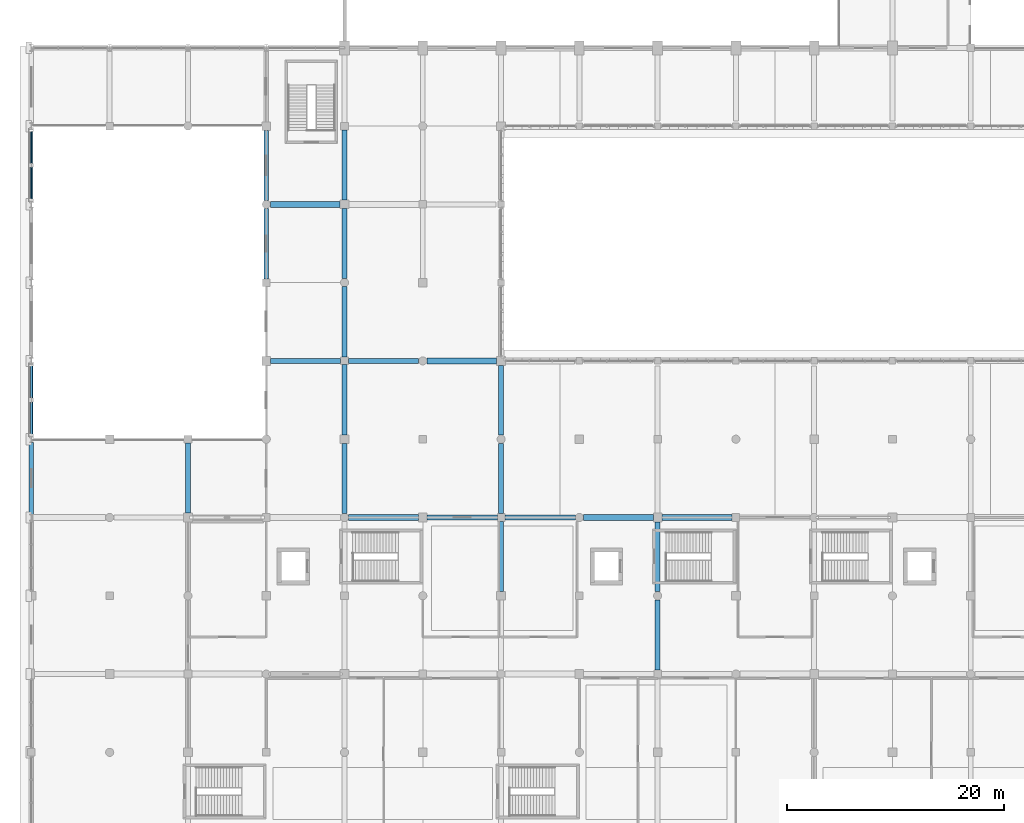
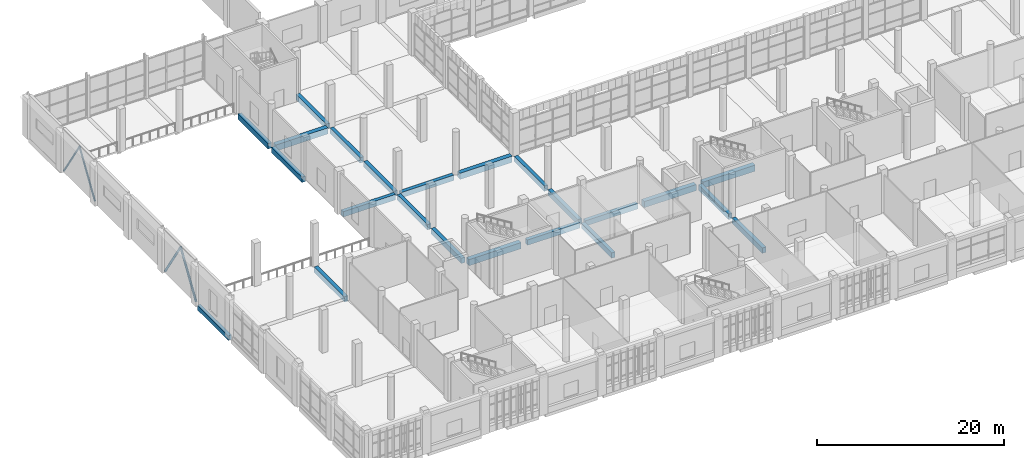
# One storey, part 12 of 80: 23 beams, 4 members.
"""IFC4 building model written with IfcOpenShell, lengths in metres."""

import ifcopenshell
import ifcopenshell.guid

model = None  # the IFC model being written
_history = None  # IfcOwnerHistory: only IFC2X3 demands one
_inside = {}  # id of a spatial element -> (the spatial element, [elements in it])
_under = {}  # id of a project, library or spatial element -> (it, [spatial elements below it])
_declared = {}  # id of a project -> (the project, [libraries it declares])
_typed = {}  # id of a type object -> (the type object, [elements of that type])
_made_of = {}  # id of a material, layer set ... -> (it, [elements and type objects made of it])


def new_model(schema):
    """Start an empty IFC model of exactly this schema.

    Asked for "IFC4X3", IfcOpenShell would pick the latest addendum, in which some entities
    have other attributes; the version numbers below select the first issue.
    IFC2X3 requires an IfcOwnerHistory on every rooted entity: one is made here for all.
    """
    global model, _history
    if schema == "IFC4X3":
        model = ifcopenshell.file(schema_version=(4, 3, 0, 0))
    else:
        model = ifcopenshell.file(schema=schema)
    _inside.clear()
    _under.clear()
    _declared.clear()
    _typed.clear()
    _made_of.clear()
    _history = None
    if model.schema == "IFC2X3":
        org = make("IfcOrganization", Name="unknown")
        user = make(
            "IfcPersonAndOrganization",
            ThePerson=make("IfcPerson", FamilyName="unknown"),
            TheOrganization=org,
        )
        app = make(
            "IfcApplication",
            ApplicationDeveloper=org,
            Version="unknown",
            ApplicationFullName="unknown",
            ApplicationIdentifier="unknown",
        )
        _history = make(
            "IfcOwnerHistory",
            OwningUser=user,
            OwningApplication=app,
            ChangeAction="ADDED",
            CreationDate=0,
        )
    return model


def make(cls, **values):
    """One entity of the class cls with the attributes given. An attribute that is None is left unset."""
    return model.create_entity(
        cls, **{name: value for name, value in values.items() if value is not None}
    )


def rooted(cls, **values):
    """An entity with a GlobalId (a new one), such as an element, a storey or a relation."""
    return make(cls, GlobalId=ifcopenshell.guid.new(), OwnerHistory=_history, **values)


def si_unit(unit_type, name, prefix=None):
    """IfcSIUnit, for example si_unit("LENGTHUNIT", "METRE", prefix="MILLI")."""
    return make("IfcSIUnit", UnitType=unit_type, Prefix=prefix, Name=name)


def assignment(units):
    """IfcUnitAssignment: the units of a project."""
    return None if units is None else make("IfcUnitAssignment", Units=units)


def point(xyz):
    """IfcCartesianPoint."""
    return None if xyz is None else make("IfcCartesianPoint", Coordinates=xyz)


def direction(xyz):
    """IfcDirection."""
    return None if xyz is None else make("IfcDirection", DirectionRatios=xyz)


def frame(location, z_axis=None, x_axis=None):
    """IfcAxis2Placement3D, a coordinate frame: its origin and axes. An axis left out is left unset."""
    return make(
        "IfcAxis2Placement3D",
        Location=point(location),
        Axis=direction(z_axis),
        RefDirection=direction(x_axis),
    )


def frame_2d(location, x_axis=None):
    """IfcAxis2Placement2D, a coordinate frame in the plane: its origin and x axis."""
    return make(
        "IfcAxis2Placement2D", Location=point(location), RefDirection=direction(x_axis)
    )


def origin():
    """The frame at (0, 0, 0) with its axes left unset."""
    return frame((0.0, 0.0, 0.0))


def origin_2d():
    """The frame at (0, 0) in the plane with its x axis left unset."""
    return frame_2d((0.0, 0.0))


def place(relative_to, where):
    """IfcLocalPlacement: puts the frame where relative to a parent placement (None: the world)."""
    return make(
        "IfcLocalPlacement", PlacementRelTo=relative_to, RelativePlacement=where
    )


def context(
    kind, dimensions, precision=None, world=None, true_north=None, identifier=None
):
    """IfcGeometricRepresentationContext, for example the 3D "Model" context."""
    return make(
        "IfcGeometricRepresentationContext",
        ContextIdentifier=identifier,
        ContextType=kind,
        CoordinateSpaceDimension=dimensions,
        Precision=precision,
        WorldCoordinateSystem=world,
        TrueNorth=true_north,
    )


def subcontext(parent, identifier, kind, view, scale=None):
    """IfcGeometricRepresentationSubContext, for example "Body" below "Model"."""
    return make(
        "IfcGeometricRepresentationSubContext",
        ContextIdentifier=identifier,
        ContextType=kind,
        ParentContext=parent,
        TargetScale=scale,
        TargetView=view,
    )


def project(units=None, contexts=None):
    """IfcProject with its units and contexts."""
    return rooted(
        "IfcProject",
        Name="project",
        RepresentationContexts=contexts,
        UnitsInContext=assignment(units),
    )


def spatial(cls, under=None, at=None, **own):
    """A site, building, storey or space (cls), placed at a placement, below another one or the project."""
    s = rooted(cls, ObjectPlacement=at, **own)
    if under is not None:
        _under.setdefault(under.id(), (under, []))[1].append(s)
    return s


def profile(cls, at=None, kind="AREA", **sizes):
    """A parametric profile (cls). Its sizes go by their IFC names, for example OverallWidth=200.0."""
    return make(cls, ProfileType=kind, Position=at, **sizes)


def rectangle(**sizes):
    """IfcRectangleProfileDef."""
    return profile("IfcRectangleProfileDef", **sizes)


def hollow_circle(**sizes):
    """IfcCircleHollowProfileDef."""
    return profile("IfcCircleHollowProfileDef", **sizes)


def extrude(swept, where, along, depth):
    """IfcExtrudedAreaSolid: the profile swept, set in the frame where, extruded along a direction by depth."""
    return make(
        "IfcExtrudedAreaSolid",
        SweptArea=swept,
        Position=where,
        ExtrudedDirection=direction(along),
        Depth=depth,
    )


def shape(context_of_items, identifier, shape_type, items):
    """IfcShapeRepresentation: the items that make up one representation, for example the "Body"."""
    return make(
        "IfcShapeRepresentation",
        ContextOfItems=context_of_items,
        RepresentationIdentifier=identifier,
        RepresentationType=shape_type,
        Items=items,
    )


def material(Name=None, Category=None):
    """IfcMaterial."""
    return make("IfcMaterial", Name=Name, Category=Category)


def material_profile(
    of_material, cross_section, Name=None, Category=None, Priority=None
):
    """IfcMaterialProfile: a cross section and its material."""
    return make(
        "IfcMaterialProfile",
        Name=Name,
        Material=of_material,
        Profile=cross_section,
        Priority=Priority,
        Category=Category,
    )


def profile_set(profiles, Name=None, composite=None):
    """IfcMaterialProfileSet."""
    return make(
        "IfcMaterialProfileSet",
        Name=Name,
        MaterialProfiles=profiles,
        CompositeProfile=composite,
    )


def made_of(thing, what):
    """Note that an element or type object is made of a material, layer set ...; save() writes the relation."""
    if what is not None:
        _made_of.setdefault(what.id(), (what, []))[1].append(thing)
    return thing


def type_object(cls, material=None, **own):
    """A type object (cls), such as IfcWallType, which elements share."""
    return made_of(rooted(cls, **own), material)


def element(
    cls,
    number,
    at=None,
    inside=None,
    cuts=None,
    type_object=None,
    material=None,
    context=None,
    identifier="Body",
    shape_type=None,
    held_by="IfcProductDefinitionShape",
    body=None,
    shapes=None,
    **own,
):
    """One element of the class cls, such as IfcWall. Its Tag is "e" and its number.

    at: its placement. inside: the storey or other place that contains it. cuts: it is an
    opening in that element (IfcRelVoidsElement). A single representation is given by context,
    identifier, shape_type and body (its items); several are given by shapes. held_by: the class
    of the entity that holds the representations. save() writes the other relations.
    """
    e = rooted(cls, Tag="e%d" % number, ObjectPlacement=at, **own)
    if body is not None:
        shapes = [shape(context, identifier, shape_type, body)]
    if shapes is not None:
        e.Representation = make(held_by, Representations=shapes)
    if inside is not None:
        _inside.setdefault(inside.id(), (inside, []))[1].append(e)
    if cuts is not None:
        rooted(
            "IfcRelVoidsElement", RelatingBuildingElement=cuts, RelatedOpeningElement=e
        )
    if type_object is not None:
        _typed.setdefault(type_object.id(), (type_object, []))[1].append(e)
    return made_of(e, material)


def aggregate(whole, parts):
    """IfcRelAggregates: a whole, such as a stair, and the parts it consists of."""
    return rooted("IfcRelAggregates", RelatingObject=whole, RelatedObjects=parts)


def save(model, path):
    """Write the relations noted so far, then the file.

    IfcRelAggregates (storeys below a building ...), IfcRelContainedInSpatialStructure (elements
    in a storey), IfcRelDefinesByType, IfcRelAssociatesMaterial and IfcRelDeclares: one each for
    every whole, place, type object, material and project.
    """
    for whole, parts in _under.values():
        aggregate(whole, parts)
    for where, things in _inside.values():
        rooted(
            "IfcRelContainedInSpatialStructure",
            RelatedElements=things,
            RelatingStructure=where,
        )
    for kind, things in _typed.values():
        rooted("IfcRelDefinesByType", RelatedObjects=things, RelatingType=kind)
    for what, things in _made_of.values():
        rooted("IfcRelAssociatesMaterial", RelatedObjects=things, RelatingMaterial=what)
    for by, libraries in _declared.values():
        rooted("IfcRelDeclares", RelatingContext=by, RelatedDefinitions=libraries)
    model.write(path)


model = new_model("IFC4")

# Units and contexts
model_context = context("Model", 3, precision=1e-05, world=origin(), true_north=direction((0.0, 1.0)))
body_context = subcontext(model_context, "Body", "Model", "MODEL_VIEW")
ifc_project = project(units=[si_unit("LENGTHUNIT", "METRE"), si_unit("AREAUNIT", "SQUARE_METRE"), si_unit("VOLUMEUNIT", "CUBIC_METRE"), si_unit("PLANEANGLEUNIT", "RADIAN"), si_unit("MASSUNIT", "GRAM", prefix="KILO")], contexts=[model_context])

# Site, building, storey
site_placement = place(None, origin())
site = spatial("IfcSite", under=ifc_project, at=site_placement, CompositionType="ELEMENT")
building_placement = place(site_placement, origin())
building = spatial("IfcBuilding", under=site, at=building_placement, Name="Sardonyx Promenade Sports Hall", CompositionType="ELEMENT")
storey_placement = place(building_placement, frame((0.0, 0.0, 5.60009765625)))
storey = spatial("IfcBuildingStorey", under=building, at=storey_placement, Name="L01", CompositionType="ELEMENT", Elevation=5.60009765625)

# Beams
ifc_material_1 = material(Name="Concrete C40/50", Category="concrete")
ifc_material_profile_1 = material_profile(ifc_material_1, rectangle(XDim=0.550048828125, YDim=0.800048828125, at=origin_2d()))
ifc_profile_set_1 = profile_set([ifc_material_profile_1], Name="Concrete C40/50")
beam_type_1 = type_object("IfcBeamType", Name="Bm_Girder_RC800", PredefinedType="BEAM", material=ifc_profile_set_1)
for number, where, z_axis, x_axis, name in (
    (1, (29.175048828125, 28.800048828125, -0.400146484375), (1.0, 0.0, 0.0), (0.0, 1.0, 0.0), "Beam BG04 L01 #212"),
    (2, (50.77490234375, 28.800048828125, -0.400146484375), (1.0, 0.0, 0.0), (0.0, 1.0, 0.0), "Beam BG04 L01 #215"),
):
    element("IfcBeam", number, at=place(storey_placement, frame(where, z_axis=z_axis, x_axis=x_axis)), inside=storey, type_object=beam_type_1, Name=name, PredefinedType="BEAM", context=body_context, shape_type="SweptSolid", body=[
        extrude(rectangle(XDim=0.550048828125, YDim=0.800048828125, at=origin_2d()), origin(), (0.0, 0.0, 1.0), 6.425048828125),
    ])
beam_1_placement = place(storey_placement, frame((58.0, 28.800048828125, -0.400146484375), z_axis=(1.0, 0.0, 0.0), x_axis=(0.0, 1.0, 0.0)))
element("IfcBeam", 3, at=beam_1_placement, inside=storey, type_object=beam_type_1, Name="Beam BG04 L01 #216", PredefinedType="BEAM", context=body_context, shape_type="SweptSolid", body=[
    extrude(rectangle(XDim=0.550048828125, YDim=0.800048828125, at=origin_2d()), origin(), (0.0, 0.0, 1.0), 6.449951171875),
])
beam_2_placement = place(storey_placement, frame((36.375, 43.199951171875, -0.400146484375), z_axis=(1.0, 0.0, 0.0), x_axis=(0.0, 1.0, 0.0)))
element("IfcBeam", 4, at=beam_2_placement, inside=storey, type_object=beam_type_1, Name="Beam BG04 L01 #233", PredefinedType="BEAM", context=body_context, shape_type="SweptSolid", body=[
    extrude(rectangle(XDim=0.550048828125, YDim=0.800048828125, at=origin_2d()), origin(), (0.0, 0.0, 1.0), 6.425048828125),
])
beam_3_placement = place(storey_placement, frame((21.97509765625, 57.60009765625, -0.400146484375), z_axis=(1.0, 0.0, 0.0), x_axis=(0.0, 1.0, 0.0)))
element("IfcBeam", 5, at=beam_3_placement, inside=storey, type_object=beam_type_1, Name="Beam BG04 L01 #251", PredefinedType="BEAM", context=body_context, shape_type="SweptSolid", body=[
    extrude(rectangle(XDim=0.550048828125, YDim=0.800048828125, at=origin_2d()), origin(), (0.0, 0.0, 1.0), 6.4248046875),
])
ifc_material_2 = material(Name="Concrete C40/50", Category="concrete")
ifc_material_profile_2 = material_profile(ifc_material_2, rectangle(XDim=0.449951171875, YDim=0.699951171875, at=origin_2d()))
ifc_profile_set_2 = profile_set([ifc_material_profile_2], Name="Concrete C40/50")
beam_type_2 = type_object("IfcBeamType", Name="Bm_Primary_RC700", PredefinedType="BEAM", material=ifc_profile_set_2)
beam_4_placement = place(storey_placement, frame((36.39990234375, 28.800048828125, -0.35009765625), z_axis=(1.0, 0.0, 0.0), x_axis=(0.0, 1.0, 0.0)))
element("IfcBeam", 6, at=beam_4_placement, inside=storey, type_object=beam_type_2, Name="Beam BG01 L01 #213", PredefinedType="BEAM", context=body_context, shape_type="SweptSolid", body=[
    extrude(rectangle(XDim=0.449951171875, YDim=0.699951171875, at=origin_2d()), origin(), (0.0, 0.0, 1.0), 6.4501953125),
])
beam_5_placement = place(storey_placement, frame((43.550048828125, 28.800048828125, -0.35009765625), z_axis=(1.0, 0.0, 0.0), x_axis=(0.0, 1.0, 0.0)))
element("IfcBeam", 7, at=beam_5_placement, inside=storey, type_object=beam_type_2, Name="Beam BG01 L01 #214", PredefinedType="BEAM", context=body_context, shape_type="SweptSolid", body=[
    extrude(rectangle(XDim=0.449951171875, YDim=0.699951171875, at=origin_2d()), origin(), (0.0, 0.0, 1.0), 6.474853515625),
])
beam_6_placement = place(storey_placement, frame((22.0, 43.199951171875, -0.35009765625), z_axis=(1.0, 0.0, 0.0), x_axis=(0.0, 1.0, 0.0)))
element("IfcBeam", 8, at=beam_6_placement, inside=storey, type_object=beam_type_2, Name="Beam BG01 L01 #231", PredefinedType="BEAM", context=body_context, shape_type="SweptSolid", body=[
    extrude(rectangle(XDim=0.449951171875, YDim=0.699951171875, at=origin_2d()), origin(), (0.0, 0.0, 1.0), 6.449951171875),
])
beam_7_placement = place(storey_placement, frame((29.14990234375, 43.199951171875, -0.35009765625), z_axis=(1.0, 0.0, 0.0), x_axis=(0.0, 1.0, 0.0)))
element("IfcBeam", 9, at=beam_7_placement, inside=storey, type_object=beam_type_2, Name="Beam BG01 L01 #232", PredefinedType="BEAM", context=body_context, shape_type="SweptSolid", body=[
    extrude(rectangle(XDim=0.449951171875, YDim=0.699951171875, at=origin_2d()), origin(), (0.0, 0.0, 1.0), 6.47509765625),
])
beam_8_placement = place(storey_placement, frame((14.39990234375, 29.199951171875, -0.35009765625), z_axis=(0.0, 1.0, 0.0), x_axis=(-1.0, 0.0, 0.0)))
element("IfcBeam", 10, at=beam_8_placement, inside=storey, type_object=beam_type_2, Name="Beam BG01 L01 #302", PredefinedType="BEAM", context=body_context, shape_type="SweptSolid", body=[
    extrude(rectangle(XDim=0.449951171875, YDim=0.699951171875, at=origin_2d()), origin(), (0.0, 0.0, 1.0), 6.449951171875),
])
beam_9_placement = place(storey_placement, frame((21.60009765625, 50.75, -0.35009765625), z_axis=(0.0, 1.0, 0.0), x_axis=(-1.0, 0.0, 0.0)))
element("IfcBeam", 11, at=beam_9_placement, inside=storey, type_object=beam_type_2, Name="Beam BG01 L01 #304", PredefinedType="BEAM", context=body_context, shape_type="SweptSolid", body=[
    extrude(rectangle(XDim=0.449951171875, YDim=0.699951171875, at=origin_2d()), origin(), (0.0, 0.0, 1.0), 6.47509765625),
])
beam_10_placement = place(storey_placement, frame((21.60009765625, 57.97509765625, -0.35009765625), z_axis=(0.0, 1.0, 0.0), x_axis=(-1.0, 0.0, 0.0)))
element("IfcBeam", 12, at=beam_10_placement, inside=storey, type_object=beam_type_2, Name="Beam BG01 L01 #305", PredefinedType="BEAM", context=body_context, shape_type="SweptSolid", body=[
    extrude(rectangle(XDim=0.449951171875, YDim=0.699951171875, at=origin_2d()), origin(), (0.0, 0.0, 1.0), 6.4248046875),
])
beam_11_placement = place(storey_placement, frame((28.800048828125, 29.175048828125, -0.35009765625), z_axis=(0.0, 1.0, 0.0), x_axis=(-1.0, 0.0, 0.0)))
element("IfcBeam", 13, at=beam_11_placement, inside=storey, type_object=beam_type_2, Name="Beam BG01 L01 #311", PredefinedType="BEAM", context=body_context, shape_type="SweptSolid", body=[
    extrude(rectangle(XDim=0.449951171875, YDim=0.699951171875, at=origin_2d()), origin(), (0.0, 0.0, 1.0), 6.425048828125),
])
beam_12_placement = place(storey_placement, frame((28.800048828125, 36.39990234375, -0.35009765625), z_axis=(0.0, 1.0, 0.0), x_axis=(-1.0, 0.0, 0.0)))
element("IfcBeam", 14, at=beam_12_placement, inside=storey, type_object=beam_type_2, Name="Beam BG01 L01 #312", PredefinedType="BEAM", context=body_context, shape_type="SweptSolid", body=[
    extrude(rectangle(XDim=0.449951171875, YDim=0.699951171875, at=origin_2d()), origin(), (0.0, 0.0, 1.0), 6.4501953125),
])
beam_13_placement = place(storey_placement, frame((28.800048828125, 43.550048828125, -0.35009765625), z_axis=(0.0, 1.0, 0.0), x_axis=(-1.0, 0.0, 0.0)))
element("IfcBeam", 15, at=beam_13_placement, inside=storey, type_object=beam_type_2, Name="Beam BG01 L01 #313", PredefinedType="BEAM", context=body_context, shape_type="SweptSolid", body=[
    extrude(rectangle(XDim=0.449951171875, YDim=0.699951171875, at=origin_2d()), origin(), (0.0, 0.0, 1.0), 6.474853515625),
])
beam_14_placement = place(storey_placement, frame((28.800048828125, 50.77490234375, -0.35009765625), z_axis=(0.0, 1.0, 0.0), x_axis=(-1.0, 0.0, 0.0)))
element("IfcBeam", 16, at=beam_14_placement, inside=storey, type_object=beam_type_2, Name="Beam BG01 L01 #314", PredefinedType="BEAM", context=body_context, shape_type="SweptSolid", body=[
    extrude(rectangle(XDim=0.449951171875, YDim=0.699951171875, at=origin_2d()), origin(), (0.0, 0.0, 1.0), 6.425048828125),
])
for number, where, z_axis, x_axis, name in (
    (17, (28.800048828125, 58.0, -0.35009765625), (0.0, 1.0, 0.0), (-1.0, 0.0, 0.0), "Beam BG01 L01 #315"),
    (18, (43.199951171875, 22.0, -0.35009765625), (0.0, 1.0, 0.0), (-1.0, 0.0, 0.0), "Beam BG01 L01 #323"),
):
    element("IfcBeam", number, at=place(storey_placement, frame(where, z_axis=z_axis, x_axis=x_axis)), inside=storey, type_object=beam_type_2, Name=name, PredefinedType="BEAM", context=body_context, shape_type="SweptSolid", body=[
        extrude(rectangle(XDim=0.449951171875, YDim=0.699951171875, at=origin_2d()), origin(), (0.0, 0.0, 1.0), 6.449951171875),
    ])
beam_15_placement = place(storey_placement, frame((43.199951171875, 29.14990234375, -0.35009765625), z_axis=(0.0, 1.0, 0.0), x_axis=(-1.0, 0.0, 0.0)))
element("IfcBeam", 19, at=beam_15_placement, inside=storey, type_object=beam_type_2, Name="Beam BG01 L01 #324", PredefinedType="BEAM", context=body_context, shape_type="SweptSolid", body=[
    extrude(rectangle(XDim=0.449951171875, YDim=0.699951171875, at=origin_2d()), origin(), (0.0, 0.0, 1.0), 6.47509765625),
])
beam_16_placement = place(storey_placement, frame((43.199951171875, 36.375, -0.35009765625), z_axis=(0.0, 1.0, 0.0), x_axis=(-1.0, 0.0, 0.0)))
element("IfcBeam", 20, at=beam_16_placement, inside=storey, type_object=beam_type_2, Name="Beam BG01 L01 #325", PredefinedType="BEAM", context=body_context, shape_type="SweptSolid", body=[
    extrude(rectangle(XDim=0.449951171875, YDim=0.699951171875, at=origin_2d()), origin(), (0.0, 0.0, 1.0), 6.425048828125),
])
beam_17_placement = place(storey_placement, frame((57.60009765625, 14.75, -0.35009765625), z_axis=(0.0, 1.0, 0.0), x_axis=(-1.0, 0.0, 0.0)))
element("IfcBeam", 21, at=beam_17_placement, inside=storey, type_object=beam_type_2, Name="Beam BG01 L01 #333", PredefinedType="BEAM", context=body_context, shape_type="SweptSolid", body=[
    extrude(rectangle(XDim=0.449951171875, YDim=0.699951171875, at=origin_2d()), origin(), (0.0, 0.0, 1.0), 6.47509765625),
])
beam_18_placement = place(storey_placement, frame((57.60009765625, 21.97509765625, -0.35009765625), z_axis=(0.0, 1.0, 0.0), x_axis=(-1.0, 0.0, 0.0)))
element("IfcBeam", 22, at=beam_18_placement, inside=storey, type_object=beam_type_2, Name="Beam BG01 L01 #334", PredefinedType="BEAM", context=body_context, shape_type="SweptSolid", body=[
    extrude(rectangle(XDim=0.449951171875, YDim=0.699951171875, at=origin_2d()), origin(), (0.0, 0.0, 1.0), 6.4248046875),
])
ifc_material_3 = material(Name="Concrete C40/50", Category="concrete")
ifc_material_profile_3 = material_profile(ifc_material_3, rectangle(XDim=0.39990234375, YDim=0.60009765625, at=origin_2d()))
ifc_profile_set_3 = profile_set([ifc_material_profile_3], Name="Concrete C40/50")
beam_type_3 = type_object("IfcBeamType", Name="Bm_Spandrel_RC600", PredefinedType="SPANDREL", material=ifc_profile_set_3)
beam_19_placement = place(storey_placement, frame((0.0, 29.094970703125, -0.300048828125), z_axis=(0.0, 1.0, 0.0), x_axis=(-1.0, 0.0, 0.0)))
element("IfcBeam", 23, at=beam_19_placement, inside=storey, type_object=beam_type_3, Name="Beam SPB1 L01 #295", PredefinedType="SPANDREL", context=body_context, shape_type="SweptSolid", body=[
    extrude(rectangle(XDim=0.39990234375, YDim=0.60009765625, at=origin_2d()), origin(), (0.0, 0.0, 1.0), 6.610107421875),
])

# Members
ifc_material_4 = material(Name="Steel S355JR", Category="steel")
ifc_material_profile_4 = material_profile(ifc_material_4, hollow_circle(Radius=0.109619140625, WallThickness=0.010009765625, at=origin_2d()))
ifc_profile_set_4 = profile_set([ifc_material_profile_4], Name="Steel S355JR")
member_type_1 = type_object("IfcMemberType", Name="Mbr_Brace_CHS219_Ext", PredefinedType="BRACE", material=ifc_profile_set_4)
for number, where, z_axis, x_axis, name in (
    (24, (0.0, 57.89990234375, 0.02001953125), (0.0, 0.541020546305, 0.841009374785), (-1.0, 0.0, 0.0), "Chevron brace BR02 BF2 L01 leg 1"),
    (25, (0.0, 64.5, 0.02001953125), (0.0, -0.541020546305, 0.841009374785), (1.0, 0.0, 0.0), "Chevron brace BR02 BF2 L01 leg 2"),
):
    element("IfcMember", number, at=place(storey_placement, frame(where, z_axis=z_axis, x_axis=x_axis)), inside=storey, type_object=member_type_1, Name=name, PredefinedType="BRACE", context=body_context, shape_type="SweptSolid", body=[
        extrude(hollow_circle(Radius=0.109619140625, WallThickness=0.010009765625, at=origin_2d()), origin(), (0.0, 0.0, 1.0), 6.099609375),
    ])
ifc_material_5 = material(Name="Steel S355JR", Category="steel")
ifc_material_profile_5 = material_profile(ifc_material_5, hollow_circle(Radius=0.136474609375, WallThickness=0.012451171875, at=origin_2d()))
ifc_profile_set_5 = profile_set([ifc_material_profile_5], Name="Steel S355JR")
member_type_2 = type_object("IfcMemberType", Name="Mbr_Brace_CHS273_Ext", PredefinedType="BRACE", material=ifc_profile_set_5)
for number, where, z_axis, x_axis, name in (
    (26, (0.0, 36.300048828125, 0.02001953125), (0.0, 0.541020546305, 0.841009374785), (-1.0, 0.0, 0.0), "Chevron brace BR01 BF1 L01 leg 1"),
    (27, (0.0, 42.89990234375, 0.02001953125), (0.0, -0.540992235695, 0.8410275863), (1.0, 0.0, 0.0), "Chevron brace BR01 BF1 L01 leg 2"),
):
    element("IfcMember", number, at=place(storey_placement, frame(where, z_axis=z_axis, x_axis=x_axis)), inside=storey, type_object=member_type_2, Name=name, PredefinedType="BRACE", context=body_context, shape_type="SweptSolid", body=[
        extrude(hollow_circle(Radius=0.136474609375, WallThickness=0.012451171875, at=origin_2d()), origin(), (0.0, 0.0, 1.0), 6.099609375),
    ])

save(model, "model.ifc")
